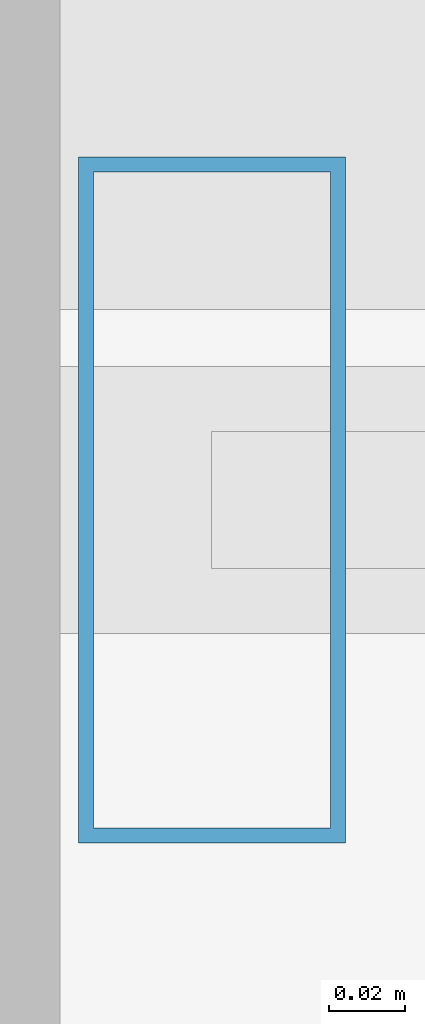
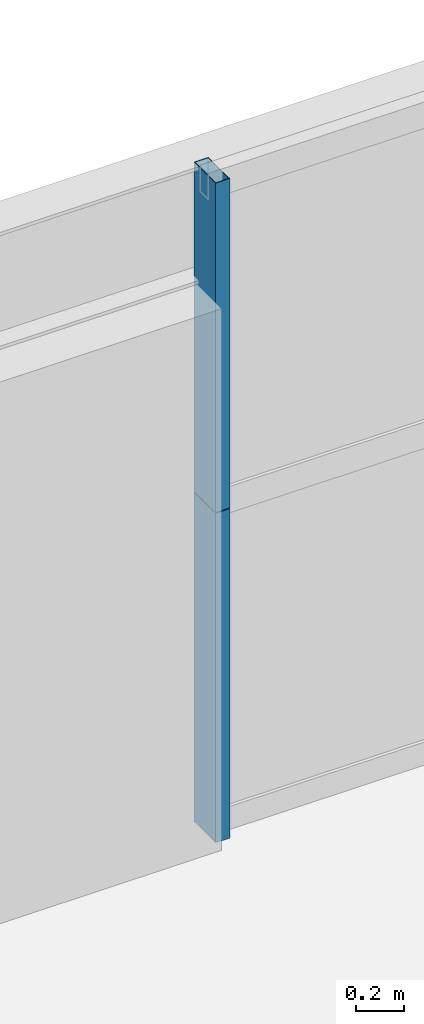
# One storey, part 26 of 42: 2 members, 1 element without a shape of its own.
"""IFC4 building model written with IfcOpenShell, lengths in metres."""

from ifc_helpers import new_model, si_unit, direction, frame, origin, origin_2d, place, context, subcontext, project, spatial, hollow_rectangle, extrude, source, transform, mapped, material, layer, layer_set, material_profile, profile_set, type_object, element, aggregate, save


model = new_model("IFC4")

# Units and contexts
model_context = context("Model", 3, precision=1e-05, world=origin(), true_north=direction((0.0, 1.0)))
body_context = subcontext(model_context, "Body", "Model", "MODEL_VIEW")
ifc_project = project(units=[si_unit("LENGTHUNIT", "METRE"), si_unit("AREAUNIT", "SQUARE_METRE"), si_unit("VOLUMEUNIT", "CUBIC_METRE"), si_unit("PLANEANGLEUNIT", "RADIAN"), si_unit("MASSUNIT", "GRAM", prefix="KILO"), si_unit("THERMODYNAMICTEMPERATUREUNIT", "KELVIN"), si_unit("POWERUNIT", "WATT")], contexts=[model_context])

# Site, building, storey
site_placement = place(None, origin())
site = spatial("IfcSite", under=ifc_project, at=site_placement, CompositionType="ELEMENT")
building_placement = place(site_placement, origin())
building = spatial("IfcBuilding", under=site, at=building_placement, Name="Yuzanri Waterfront Tower", CompositionType="ELEMENT")
storey_placement = place(building_placement, frame((0.0, 0.0, 145.199951171875)))
storey = spatial("IfcBuildingStorey", under=building, at=storey_placement, Name="L38", CompositionType="ELEMENT", Elevation=145.199951171875)

# Curtain wall, members
ifc_material_1 = material(Name="Anodized Architectural Bronze", Category="metal")
ifc_layer = layer(ifc_material_1, 0.159912109375)
ifc_layer_set = layer_set([ifc_layer], Name="Anodized Architectural Bronze")
curtain_wall_type = type_object("IfcCurtainWallType", Name="Anodized Bronze Hotel Upper-Tier Solar-Control Unitized Curtain Wall 7800", PredefinedType="NOTDEFINED", material=ifc_layer_set)
curtain_wall_placement = place(storey_placement, origin())
curtain_wall = element("IfcCurtainWall", 1, at=curtain_wall_placement, inside=storey, type_object=curtain_wall_type, Name="L38 Curtain Wall CW-L38-NL", PredefinedType="NOTDEFINED")
ifc_material_2 = material(Name="Anodized Architectural Bronze", Category="metal")
ifc_material_profile = material_profile(ifc_material_2, hollow_rectangle(XDim=0.070068359375, YDim=0.179931640625, WallThickness=0.00390625, at=origin_2d()), Name="CWM 70x180")
ifc_profile_set = profile_set([ifc_material_profile], Name="Anodized Architectural Bronze")
member_type = type_object("IfcMemberType", Name="Anodized Bronze Standard Curtain-Wall Mullion 70x180", PredefinedType="MULLION", material=ifc_profile_set)
shared_shape = source(origin(), body_context, "Body", "SweptSolid", [
    extrude(hollow_rectangle(XDim=0.070068359375, YDim=0.179931640625, WallThickness=0.00390625, at=origin_2d()), origin(), (0.0, 0.0, 1.0), 1.68798828125),
])
member_1_placement = place(storey_placement, frame((20.7900390625, 49.25, 0.0), z_axis=(0.0, 0.0, 1.0), x_axis=(1.0, 0.0, 0.0)))
member_1 = element("IfcMember", 2, at=member_1_placement, type_object=member_type, Name="CW-L38-NL Lower Mullion 00", PredefinedType="MULLION", context=body_context, shape_type="MappedRepresentation", body=[
    mapped(shared_shape, transform((0.0, 0.0, 0.0), scale=1.0)),
])
member_2_placement = place(storey_placement, frame((20.7900390625, 49.25, 1.692138671875), z_axis=(0.0, 0.0, 1.0), x_axis=(1.0, 0.0, 0.0)))
member_2 = element("IfcMember", 3, at=member_2_placement, type_object=member_type, Name="CW-L38-NL Upper Mullion 00", PredefinedType="MULLION", context=body_context, shape_type="MappedRepresentation", body=[
    mapped(shared_shape, transform((0.0, 0.0, 0.0), scale=1.0)),
])
aggregate(curtain_wall, [member_1, member_2])

save(model, "model.ifc")
